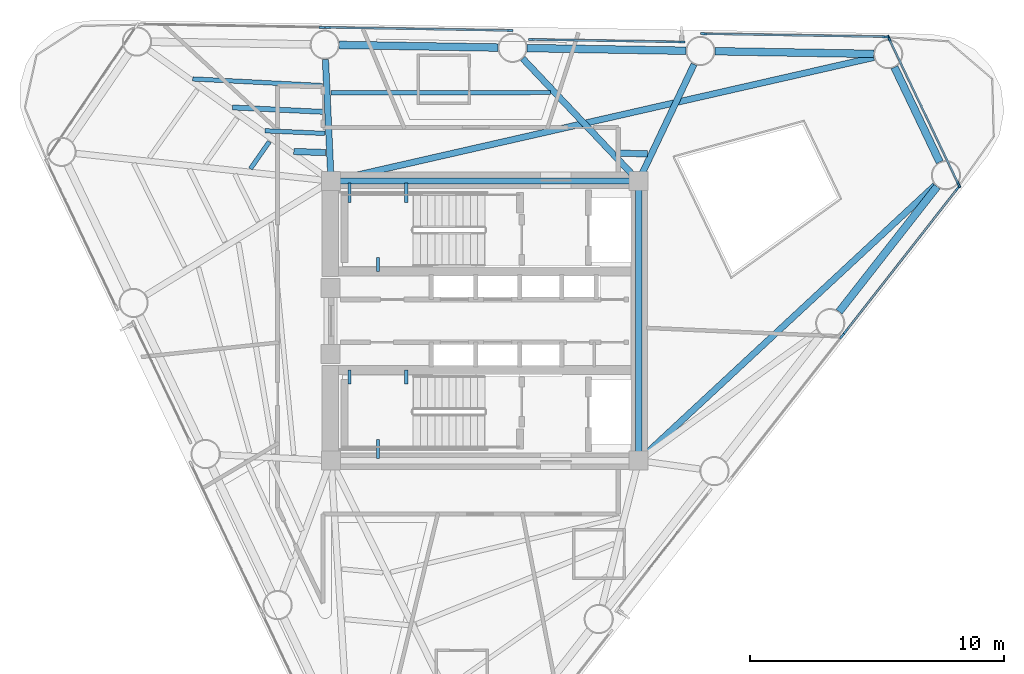
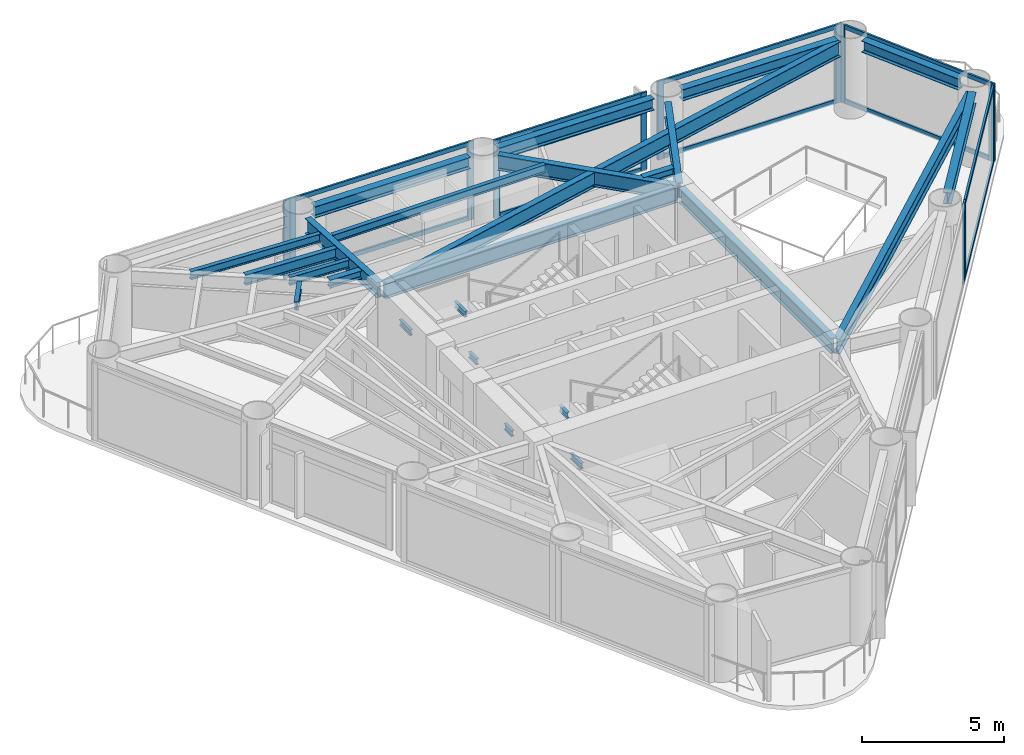
# One storey, part 3 of 9: 25 beams, 23 members, 7 elements without a shape of their own.
"""IFC4 building model written with IfcOpenShell, lengths in metres."""

from ifc_helpers import new_model, si_unit, direction, frame, origin, origin_2d, place, context, subcontext, project, spatial, rectangle, i_section, extrude, source, transform, mapped, material, layer, layer_set, material_profile, profile_set, type_object, element, aggregate, save


model = new_model("IFC4")

# Units and contexts
model_context = context("Model", 3, precision=1e-05, world=origin(), true_north=direction((0.0, 1.0)))
body_context = subcontext(model_context, "Body", "Model", "MODEL_VIEW")
ifc_project = project(units=[si_unit("LENGTHUNIT", "METRE"), si_unit("AREAUNIT", "SQUARE_METRE"), si_unit("VOLUMEUNIT", "CUBIC_METRE"), si_unit("PLANEANGLEUNIT", "RADIAN"), si_unit("MASSUNIT", "GRAM", prefix="KILO")], contexts=[model_context])

# Site, building, storey
site_placement = place(None, origin())
site = spatial("IfcSite", under=ifc_project, at=site_placement, CompositionType="ELEMENT")
building_placement = place(site_placement, origin())
building = spatial("IfcBuilding", under=site, at=building_placement, Name="Yunling Apex Tower", CompositionType="ELEMENT")
storey_placement = place(building_placement, frame((0.0, 0.0, 212.14990234375)))
storey = spatial("IfcBuildingStorey", under=building, at=storey_placement, Name="L52", CompositionType="ELEMENT", Elevation=212.14990234375)

# Beams
ifc_material_1 = material(Name="Steel Q355B", Category="steel")
ifc_material_profile_1 = material_profile(ifc_material_1, i_section(OverallWidth=0.125, OverallDepth=0.25, WebThickness=0.006103515625, FlangeThickness=0.009033203125, FilletRadius=0.011962890625, at=origin_2d()))
ifc_profile_set_1 = profile_set([ifc_material_profile_1], Name="Steel Q355B")
beam_type_1 = type_object("IfcBeamType", Name="BL-LNT-1", PredefinedType="LINTEL", material=ifc_profile_set_1)
shared_shape_1 = source(origin(), body_context, "Body", "SweptSolid", [
    extrude(i_section(OverallWidth=0.125, OverallDepth=0.25, WebThickness=0.006103515625, FlangeThickness=0.009033203125, FilletRadius=0.011962890625, at=origin_2d()), origin(), (0.0, 0.0, 1.0), 0.760009765625),
])
for number, where, z_axis, x_axis, name in (
    (1, (-5.320068359375, 5.419921875, 1.405029296875), (0.0, -1.0, 0.0), (1.0, 0.0, 0.0), "L52 ST-1 Landing Bearing Corbel 1-1"),
    (2, (-3.090087890625, 5.419921875, 1.405029296875), (0.0, -1.0, 0.0), (1.0, 0.0, 0.0), "L52 ST-1 Landing Bearing Corbel 1-2"),
    (3, (-4.205078125, -5.419921875, 1.405029296875), (0.0, 1.0, 0.0), (-1.0, 0.0, 0.0), "L52 ST-2 Landing Bearing Corbel 1-3"),
):
    element("IfcBeam", number, at=place(storey_placement, frame(where, z_axis=z_axis, x_axis=x_axis)), inside=storey, type_object=beam_type_1, Name=name, PredefinedType="LINTEL", context=body_context, shape_type="MappedRepresentation", body=[
        mapped(shared_shape_1, transform((0.0, 0.0, 0.0), scale=1.0)),
    ])
shared_shape_2 = source(origin(), body_context, "Body", "SweptSolid", [
    extrude(i_section(OverallWidth=0.125, OverallDepth=0.25, WebThickness=0.006103515625, FlangeThickness=0.009033203125, FilletRadius=0.011962890625, at=origin_2d()), origin(), (0.0, 0.0, 1.0), 0.550048828125),
])
for number, where, z_axis, x_axis, name in (
    (4, (-4.205078125, 1.93994140625, 1.405029296875), (0.0, 1.0, 0.0), (-1.0, 0.0, 0.0), "L52 ST-1 Landing Bearing Corbel 1-3"),
    (5, (-5.320068359375, -1.93994140625, 1.405029296875), (0.0, -1.0, 0.0), (1.0, 0.0, 0.0), "L52 ST-2 Landing Bearing Corbel 1-1"),
    (6, (-3.090087890625, -1.93994140625, 1.405029296875), (0.0, -1.0, 0.0), (1.0, 0.0, 0.0), "L52 ST-2 Landing Bearing Corbel 1-2"),
):
    element("IfcBeam", number, at=place(storey_placement, frame(where, z_axis=z_axis, x_axis=x_axis)), inside=storey, type_object=beam_type_1, Name=name, PredefinedType="LINTEL", context=body_context, shape_type="MappedRepresentation", body=[
        mapped(shared_shape_2, transform((0.0, 0.0, 0.0), scale=1.0)),
    ])
ifc_material_profile_2 = material_profile(ifc_material_1, i_section(OverallWidth=0.25, OverallDepth=0.64990234375, WebThickness=0.011962890625, FlangeThickness=0.02001953125, FilletRadius=0.02392578125, at=origin_2d()))
ifc_profile_set_2 = profile_set([ifc_material_profile_2], Name="Steel Q355B")
beam_type_2 = type_object("IfcBeamType", Name="BG-PRI-4", PredefinedType="USERDEFINED", material=ifc_profile_set_2)
shared_shape_3 = source(origin(), body_context, "Body", "SweptSolid", [
    extrude(i_section(OverallWidth=0.25, OverallDepth=0.64990234375, WebThickness=0.011962890625, FlangeThickness=0.02001953125, FilletRadius=0.02392578125, at=origin_2d()), origin(), (0.0, 0.0, 1.0), 11.7998046875),
])
beam_1_placement = place(storey_placement, frame((5.89990234375, 5.5, 2.945068359375), z_axis=(-1.0, 0.0, 0.0), x_axis=(0.0, -1.0, 0.0)))
element("IfcBeam", 7, at=beam_1_placement, inside=storey, type_object=beam_type_2, Name="L52 Core Ring Tie Beam 3", ObjectType="GIRDER", PredefinedType="USERDEFINED", context=body_context, shape_type="MappedRepresentation", body=[
    mapped(shared_shape_3, transform((0.0, 0.0, 0.0), scale=1.0)),
])
shared_shape_4 = source(origin(), body_context, "Body", "SweptSolid", [
    extrude(i_section(OverallWidth=0.25, OverallDepth=0.64990234375, WebThickness=0.011962890625, FlangeThickness=0.02001953125, FilletRadius=0.02392578125, at=origin_2d()), origin(), (0.0, 0.0, 1.0), 10.7001953125),
])
beam_2_placement = place(storey_placement, frame((6.050048828125, -5.35009765625, 2.945068359375), z_axis=(0.0, 1.0, 0.0), x_axis=(-1.0, 0.0, 0.0)))
element("IfcBeam", 8, at=beam_2_placement, inside=storey, type_object=beam_type_2, Name="L52 Core Ring Tie Beam 2", ObjectType="GIRDER", PredefinedType="USERDEFINED", context=body_context, shape_type="MappedRepresentation", body=[
    mapped(shared_shape_4, transform((0.0, 0.0, 0.0), scale=1.0)),
])
ifc_material_profile_3 = material_profile(ifc_material_1, i_section(OverallWidth=0.300048828125, OverallDepth=0.489990234375, WebThickness=0.010986328125, FlangeThickness=0.01806640625, FilletRadius=0.02197265625, at=origin_2d()))
ifc_profile_set_3 = profile_set([ifc_material_profile_3], Name="Steel Q355B")
beam_type_3 = type_object("IfcBeamType", Name="BP-SPN-2", PredefinedType="SPANDREL", material=ifc_profile_set_3)
shared_shape_5 = source(origin(), body_context, "Body", "SweptSolid", [
    extrude(i_section(OverallWidth=0.300048828125, OverallDepth=0.489990234375, WebThickness=0.010986328125, FlangeThickness=0.01806640625, FilletRadius=0.02197265625, at=origin_2d()), origin(), (0.0, 0.0, 1.0), 6.252685546875),
])
beam_3_placement = place(storey_placement, frame((13.940185546875, 0.35791015625, 3.025146484375), z_axis=(0.616211399259, 0.787580796759, 0.0), x_axis=(-0.787580796759, 0.616211399259, 0.0)))
element("IfcBeam", 9, at=beam_3_placement, inside=storey, type_object=beam_type_3, Name="L52 Perimeter Spandrel Beam 4", PredefinedType="SPANDREL", context=body_context, shape_type="MappedRepresentation", body=[
    mapped(shared_shape_5, transform((0.0, 0.0, 0.0), scale=1.0)),
])
shared_shape_6 = source(origin(), body_context, "Body", "SweptSolid", [
    extrude(i_section(OverallWidth=0.300048828125, OverallDepth=0.489990234375, WebThickness=0.010986328125, FlangeThickness=0.01806640625, FilletRadius=0.02197265625, at=origin_2d()), origin(), (0.0, 0.0, 1.0), 6.253173828125),
])
for number, where, z_axis, x_axis, name in (
    (10, (15.302978515625, 10.50341796875, 3.025146484375), (-0.999859061432, 0.016788605428, 0.0), (-0.016788605428, -0.999859061432, 0.0), "L52 Perimeter Spandrel Beam 6"),
    (11, (7.9130859375, 10.627197265625, 3.025146484375), (-0.999859061432, 0.016788605428, 0.0), (-0.016788605428, -0.999859061432, 0.0), "L52 Perimeter Spandrel Beam 7"),
    (12, (0.523193359375, 10.751220703125, 3.025146484375), (-0.99985971606, 0.016749573126, 0.0), (-0.016749573126, -0.99985971606, 0.0), "L52 Perimeter Spandrel Beam 8"),
):
    element("IfcBeam", number, at=place(storey_placement, frame(where, z_axis=z_axis, x_axis=x_axis)), inside=storey, type_object=beam_type_3, Name=name, PredefinedType="SPANDREL", context=body_context, shape_type="MappedRepresentation", body=[
        mapped(shared_shape_6, transform((0.0, 0.0, 0.0), scale=1.0)),
    ])
shared_shape_7 = source(origin(), body_context, "Body", "SweptSolid", [
    extrude(i_section(OverallWidth=0.300048828125, OverallDepth=0.489990234375, WebThickness=0.010986328125, FlangeThickness=0.01806640625, FilletRadius=0.02197265625, at=origin_2d()), origin(), (0.0, 0.0, 1.0), 4.139404296875),
])
beam_4_placement = place(storey_placement, frame((17.898681640625, 6.244140625, 3.025146484375), z_axis=(-0.430503573335, 0.902588872824, 0.0), x_axis=(-0.902588872824, -0.430503573335, 0.0)))
element("IfcBeam", 13, at=beam_4_placement, inside=storey, type_object=beam_type_3, Name="L52 Perimeter Spandrel Beam 5", PredefinedType="SPANDREL", context=body_context, shape_type="MappedRepresentation", body=[
    mapped(shared_shape_7, transform((0.0, 0.0, 0.0), scale=1.0)),
])
shared_shape_8 = source(origin(), body_context, "Body", "SweptSolid", [
    extrude(i_section(OverallWidth=0.25, OverallDepth=0.64990234375, WebThickness=0.011962890625, FlangeThickness=0.02001953125, FilletRadius=0.02392578125, at=origin_2d()), origin(), (0.0, 0.0, 1.0), 15.841064453125),
])
beam_5_placement = place(storey_placement, frame((17.716552734375, 5.333984375, 2.945068359375), z_axis=(-0.732769338977, -0.680477108986, 0.0), x_axis=(0.680477108986, -0.732769338977, 0.0)))
element("IfcBeam", 14, at=beam_5_placement, inside=storey, type_object=beam_type_2, Name="L52 Radial Primary Girder R05", ObjectType="GIRDER", PredefinedType="USERDEFINED", context=body_context, shape_type="MappedRepresentation", body=[
    mapped(shared_shape_8, transform((0.0, 0.0, 0.0), scale=1.0)),
])
shared_shape_9 = source(origin(), body_context, "Body", "SweptSolid", [
    extrude(i_section(OverallWidth=0.25, OverallDepth=0.64990234375, WebThickness=0.011962890625, FlangeThickness=0.02001953125, FilletRadius=0.02392578125, at=origin_2d()), origin(), (0.0, 0.0, 1.0), 21.820556640625),
])
beam_6_placement = place(storey_placement, frame((15.303466796875, 10.364501953125, 2.945068359375), z_axis=(-0.975020184512, -0.222116275394, 0.0), x_axis=(0.222116275394, -0.975020184512, 0.0)))
element("IfcBeam", 15, at=beam_6_placement, inside=storey, type_object=beam_type_2, Name="L52 Radial Primary Girder R06", ObjectType="GIRDER", PredefinedType="USERDEFINED", context=body_context, shape_type="MappedRepresentation", body=[
    mapped(shared_shape_9, transform((0.0, 0.0, 0.0), scale=1.0)),
])
shared_shape_10 = source(origin(), body_context, "Body", "SweptSolid", [
    extrude(i_section(OverallWidth=0.25, OverallDepth=0.64990234375, WebThickness=0.011962890625, FlangeThickness=0.02001953125, FilletRadius=0.02392578125, at=origin_2d()), origin(), (0.0, 0.0, 1.0), 5.00341796875),
])
beam_7_placement = place(storey_placement, frame((8.231689453125, 10.09130859375, 2.945068359375), z_axis=(-0.429206106824, -0.903206575411, 0.0), x_axis=(0.903206575411, -0.429206106824, 0.0)))
element("IfcBeam", 16, at=beam_7_placement, inside=storey, type_object=beam_type_2, Name="L52 Radial Primary Girder R07", ObjectType="GIRDER", PredefinedType="USERDEFINED", context=body_context, shape_type="MappedRepresentation", body=[
    mapped(shared_shape_10, transform((0.0, 0.0, 0.0), scale=1.0)),
])
shared_shape_11 = source(origin(), body_context, "Body", "SweptSolid", [
    extrude(i_section(OverallWidth=0.25, OverallDepth=0.64990234375, WebThickness=0.011962890625, FlangeThickness=0.02001953125, FilletRadius=0.02392578125, at=origin_2d()), origin(), (0.0, 0.0, 1.0), 6.552001953125),
])
beam_8_placement = place(storey_placement, frame((1.49267578125, 10.318115234375, 2.945068359375), z_axis=(0.687178062581, -0.726489029723, 0.0), x_axis=(0.726489029723, 0.687178062581, 0.0)))
element("IfcBeam", 17, at=beam_8_placement, inside=storey, type_object=beam_type_2, Name="L52 Radial Primary Girder R08", ObjectType="GIRDER", PredefinedType="USERDEFINED", context=body_context, shape_type="MappedRepresentation", body=[
    mapped(shared_shape_11, transform((0.0, 0.0, 0.0), scale=1.0)),
])
shared_shape_12 = source(origin(), body_context, "Body", "SweptSolid", [
    extrude(i_section(OverallWidth=0.25, OverallDepth=0.64990234375, WebThickness=0.011962890625, FlangeThickness=0.02001953125, FilletRadius=0.02392578125, at=origin_2d()), origin(), (0.0, 0.0, 1.0), 4.70849609375),
])
beam_9_placement = place(storey_placement, frame((-6.27099609375, 10.283203125, 2.945068359375), z_axis=(0.046148548326, -0.998934588193, 0.0), x_axis=(0.998934588193, 0.046148548326, 0.0)))
element("IfcBeam", 18, at=beam_9_placement, inside=storey, type_object=beam_type_2, Name="L52 Radial Primary Girder R09", ObjectType="GIRDER", PredefinedType="USERDEFINED", context=body_context, shape_type="MappedRepresentation", body=[
    mapped(shared_shape_12, transform((0.0, 0.0, 0.0), scale=1.0)),
])
ifc_material_profile_4 = material_profile(ifc_material_1, i_section(OverallWidth=0.25, OverallDepth=0.340087890625, WebThickness=0.009033203125, FlangeThickness=0.013916015625, FilletRadius=0.01806640625, at=origin_2d()))
ifc_profile_set_4 = profile_set([ifc_material_profile_4], Name="Steel Q355B")
beam_type_4 = type_object("IfcBeamType", Name="BJ-JST-2", PredefinedType="JOIST", material=ifc_profile_set_4)
shared_shape_13 = source(origin(), body_context, "Body", "SweptSolid", [
    extrude(i_section(OverallWidth=0.25, OverallDepth=0.340087890625, WebThickness=0.009033203125, FlangeThickness=0.013916015625, FilletRadius=0.01806640625, at=origin_2d()), origin(), (0.0, 0.0, 1.0), 1.23291015625),
])
beam_10_placement = place(storey_placement, frame((6.396728515625, 6.570556640625, 3.10009765625), z_axis=(-0.999688635189, 0.024952608565, 0.0), x_axis=(-0.024952608565, -0.999688635189, 0.0)))
element("IfcBeam", 19, at=beam_10_placement, inside=storey, type_object=beam_type_4, Name="L52 Composite Floor Joist BJ2-7", PredefinedType="JOIST", context=body_context, shape_type="MappedRepresentation", body=[
    mapped(shared_shape_13, transform((0.0, 0.0, 0.0), scale=1.0)),
])
ifc_material_profile_5 = material_profile(ifc_material_1, i_section(OverallWidth=0.175048828125, OverallDepth=0.35009765625, WebThickness=0.007080078125, FlangeThickness=0.010986328125, FilletRadius=0.013916015625, at=origin_2d()))
ifc_profile_set_5 = profile_set([ifc_material_profile_5], Name="Steel Q355B")
beam_type_5 = type_object("IfcBeamType", Name="BJ-JST-1", PredefinedType="JOIST", material=ifc_profile_set_5)
shared_shape_14 = source(origin(), body_context, "Body", "SweptSolid", [
    extrude(i_section(OverallWidth=0.175048828125, OverallDepth=0.35009765625, WebThickness=0.007080078125, FlangeThickness=0.010986328125, FilletRadius=0.013916015625, at=origin_2d()), origin(), (0.0, 0.0, 1.0), 8.643310546875),
])
beam_11_placement = place(storey_placement, frame((2.59326171875, 8.985107421875, 3.09521484375), z_axis=(-0.999997695824, -0.002146705784, 0.0), x_axis=(0.002146705784, -0.999997695824, 0.0)))
element("IfcBeam", 20, at=beam_11_placement, inside=storey, type_object=beam_type_5, Name="L52 Composite Floor Joist BJ1-8", PredefinedType="JOIST", context=body_context, shape_type="MappedRepresentation", body=[
    mapped(shared_shape_14, transform((0.0, 0.0, 0.0), scale=1.0)),
])
ifc_material_profile_6 = material_profile(ifc_material_1, i_section(OverallWidth=0.199951171875, OverallDepth=0.449951171875, WebThickness=0.009033203125, FlangeThickness=0.013916015625, FilletRadius=0.01806640625, at=origin_2d()))
ifc_profile_set_6 = profile_set([ifc_material_profile_6], Name="Steel Q355B")
beam_type_6 = type_object("IfcBeamType", Name="BS-SEC-3", PredefinedType="BEAM", material=ifc_profile_set_6)
shared_shape_15 = source(origin(), body_context, "Body", "SweptSolid", [
    extrude(i_section(OverallWidth=0.199951171875, OverallDepth=0.449951171875, WebThickness=0.009033203125, FlangeThickness=0.013916015625, FilletRadius=0.01806640625, at=origin_2d()), origin(), (0.0, 0.0, 1.0), 3.599853515625),
])
beam_12_placement = place(storey_placement, frame((-6.335205078125, 8.221435546875, 3.045166015625), z_axis=(-0.998820387083, 0.048557536471, 0.0), x_axis=(-0.048557536471, -0.998820387083, 0.0)))
element("IfcBeam", 21, at=beam_12_placement, inside=storey, type_object=beam_type_6, Name="L52 Composite Floor Beam BS-9", PredefinedType="BEAM", context=body_context, shape_type="MappedRepresentation", body=[
    mapped(shared_shape_15, transform((0.0, 0.0, 0.0), scale=1.0)),
])
shared_shape_16 = source(origin(), body_context, "Body", "SweptSolid", [
    extrude(i_section(OverallWidth=0.175048828125, OverallDepth=0.35009765625, WebThickness=0.007080078125, FlangeThickness=0.010986328125, FilletRadius=0.013916015625, at=origin_2d()), origin(), (0.0, 0.0, 1.0), 5.116455078125),
])
beam_13_placement = place(storey_placement, frame((-6.3828125, 9.256591796875, 3.09521484375), z_axis=(-0.998690915519, 0.051151297728, 0.0), x_axis=(-0.051151297728, -0.998690915519, 0.0)))
element("IfcBeam", 22, at=beam_13_placement, inside=storey, type_object=beam_type_5, Name="L52 Composite Floor Joist BJ1-9", PredefinedType="JOIST", context=body_context, shape_type="MappedRepresentation", body=[
    mapped(shared_shape_16, transform((0.0, 0.0, 0.0), scale=1.0)),
])
shared_shape_17 = source(origin(), body_context, "Body", "SweptSolid", [
    extrude(i_section(OverallWidth=0.175048828125, OverallDepth=0.35009765625, WebThickness=0.007080078125, FlangeThickness=0.010986328125, FilletRadius=0.013916015625, at=origin_2d()), origin(), (0.0, 0.0, 1.0), 2.35888671875),
])
beam_14_placement = place(storey_placement, frame((-6.296142578125, 7.374267578125, 3.09521484375), z_axis=(-0.999023067934, 0.044191738321, 0.0), x_axis=(-0.044191738321, -0.999023067934, 0.0)))
element("IfcBeam", 23, at=beam_14_placement, inside=storey, type_object=beam_type_5, Name="L52 Composite Floor Joist BJ3-9", PredefinedType="JOIST", context=body_context, shape_type="MappedRepresentation", body=[
    mapped(shared_shape_17, transform((0.0, 0.0, 0.0), scale=1.0)),
])
shared_shape_18 = source(origin(), body_context, "Body", "SweptSolid", [
    extrude(i_section(OverallWidth=0.25, OverallDepth=0.340087890625, WebThickness=0.009033203125, FlangeThickness=0.013916015625, FilletRadius=0.01806640625, at=origin_2d()), origin(), (0.0, 0.0, 1.0), 1.256103515625),
])
beam_15_placement = place(storey_placement, frame((-6.261474609375, 6.6201171875, 3.10009765625), z_axis=(-0.999394634841, 0.034790283866, 0.0), x_axis=(-0.034790283866, -0.999394634841, 0.0)))
element("IfcBeam", 24, at=beam_15_placement, inside=storey, type_object=beam_type_4, Name="L52 Composite Floor Joist BJ2-9", PredefinedType="JOIST", context=body_context, shape_type="MappedRepresentation", body=[
    mapped(shared_shape_18, transform((0.0, 0.0, 0.0), scale=1.0)),
])
shared_shape_19 = source(origin(), body_context, "Body", "SweptSolid", [
    extrude(i_section(OverallWidth=0.175048828125, OverallDepth=0.35009765625, WebThickness=0.007080078125, FlangeThickness=0.010986328125, FilletRadius=0.013916015625, at=origin_2d()), origin(), (0.0, 0.0, 1.0), 1.29736328125),
])
beam_16_placement = place(storey_placement, frame((-8.478515625, 7.04833984375, 3.09521484375), z_axis=(-0.572590644925, -0.819841419632, 0.0), x_axis=(0.819841419632, -0.572590644925, 0.0)))
element("IfcBeam", 25, at=beam_16_placement, inside=storey, type_object=beam_type_5, Name="L52 Composite Floor Joist BJ3-10", PredefinedType="JOIST", context=body_context, shape_type="MappedRepresentation", body=[
    mapped(shared_shape_19, transform((0.0, 0.0, 0.0), scale=1.0)),
])

# Curtain wall, member
ifc_material_2 = material(Name="Bronze anodised aluminium", Category="aluminium")
ifc_layer = layer(ifc_material_2, 0.239990234375)
ifc_layer_set = layer_set([ifc_layer], Name="Bronze anodised aluminium")
curtain_wall_type = type_object("IfcCurtainWallType", Name="CW-SYS-3", PredefinedType="NOTDEFINED", material=ifc_layer_set)
curtain_wall_1_placement = place(storey_placement, origin())
curtain_wall_1 = element("IfcCurtainWall", 26, at=curtain_wall_1_placement, inside=storey, type_object=curtain_wall_type, Name="CW-L52-F1-B3", PredefinedType="NOTDEFINED")
ifc_material_profile_7 = material_profile(ifc_material_2, rectangle(XDim=0.080078125, YDim=0.239990234375, at=origin_2d()))
ifc_profile_set_7 = profile_set([ifc_material_profile_7], Name="Bronze anodised aluminium")
member_type_1 = type_object("IfcMemberType", Name="CW-MUL-3", PredefinedType="MULLION", material=ifc_profile_set_7)
shared_shape_20 = source(origin(), body_context, "Body", "SweptSolid", [
    extrude(rectangle(XDim=0.080078125, YDim=0.239990234375, at=origin_2d()), origin(), (0.0, 0.0, 1.0), 3.369873046875),
])
member_1_placement = place(storey_placement, frame((14.051025390625, -0.603759765625, -0.0498046875), z_axis=(0.0, 0.0, 1.0), x_axis=(-0.787589332433, 0.616200489644, 0.0)))
member_1 = element("IfcMember", 27, at=member_1_placement, type_object=member_type_1, Name="CW-SYS-3 mullion 2", PredefinedType="MULLION", context=body_context, shape_type="MappedRepresentation", body=[
    mapped(shared_shape_20, transform((0.0, 0.0, 0.0), scale=1.0)),
])
aggregate(curtain_wall_1, [member_1])

# Curtain wall, members
curtain_wall_2_placement = place(storey_placement, origin())
curtain_wall_2 = element("IfcCurtainWall", 28, at=curtain_wall_2_placement, inside=storey, type_object=curtain_wall_type, Name="CW-L52-F1-B4", PredefinedType="NOTDEFINED")
member_2_placement = place(storey_placement, frame((14.198974609375, -0.414794921875, -0.0498046875), z_axis=(0.0, 0.0, 1.0), x_axis=(-0.787589332433, 0.616200489644, 0.0)))
member_2 = element("IfcMember", 29, at=member_2_placement, type_object=member_type_1, Name="CW-SYS-3 mullion 1", PredefinedType="MULLION", context=body_context, shape_type="MappedRepresentation", body=[
    mapped(shared_shape_20, transform((0.0, 0.0, 0.0), scale=1.0)),
])
member_3_placement = place(storey_placement, frame((18.60546875, 5.21728515625, -0.0498046875), z_axis=(0.0, 0.0, 1.0), x_axis=(-0.787589332433, 0.616200489644, 0.0)))
member_3 = element("IfcMember", 30, at=member_3_placement, type_object=member_type_1, Name="CW-SYS-3 mullion 2", PredefinedType="MULLION", context=body_context, shape_type="MappedRepresentation", body=[
    mapped(shared_shape_20, transform((0.0, 0.0, 0.0), scale=1.0)),
])

curtain_wall_3_placement = place(storey_placement, origin())
curtain_wall_3 = element("IfcCurtainWall", 31, at=curtain_wall_3_placement, inside=storey, type_object=curtain_wall_type, Name="CW-L52-CRN1", PredefinedType="NOTDEFINED")
member_4_placement = place(storey_placement, frame((18.646484375, 5.360107421875, -0.0498046875), z_axis=(0.0, 0.0, 1.0), x_axis=(-0.902577581426, -0.430527245951, 0.0)))
member_4 = element("IfcMember", 32, at=member_4_placement, type_object=member_type_1, Name="CW-SYS-3 mullion 1", PredefinedType="MULLION", context=body_context, shape_type="MappedRepresentation", body=[
    mapped(shared_shape_20, transform((0.0, 0.0, 0.0), scale=1.0)),
])
member_5_placement = place(storey_placement, frame((15.89990234375, 11.11767578125, -0.0498046875), z_axis=(0.0, 0.0, 1.0), x_axis=(-0.902577581426, -0.430527245951, 0.0)))
member_5 = element("IfcMember", 33, at=member_5_placement, type_object=member_type_1, Name="CW-SYS-3 mullion 2", PredefinedType="MULLION", context=body_context, shape_type="MappedRepresentation", body=[
    mapped(shared_shape_20, transform((0.0, 0.0, 0.0), scale=1.0)),
])

curtain_wall_4_placement = place(storey_placement, origin())
curtain_wall_4 = element("IfcCurtainWall", 34, at=curtain_wall_4_placement, inside=storey, type_object=curtain_wall_type, Name="CW-L52-F2-B1", PredefinedType="NOTDEFINED")
member_6_placement = place(storey_placement, frame((15.76318359375, 11.17578125, -0.0498046875), z_axis=(0.0, 0.0, 1.0), x_axis=(-0.016761362354, -0.999859518498, 0.0)))
member_6 = element("IfcMember", 35, at=member_6_placement, type_object=member_type_1, Name="CW-SYS-3 mullion 1", PredefinedType="MULLION", context=body_context, shape_type="MappedRepresentation", body=[
    mapped(shared_shape_20, transform((0.0, 0.0, 0.0), scale=1.0)),
])
member_7_placement = place(storey_placement, frame((8.61328125, 11.295654296875, -0.0498046875), z_axis=(0.0, 0.0, 1.0), x_axis=(-0.016761362354, -0.999859518498, 0.0)))
member_7 = element("IfcMember", 36, at=member_7_placement, type_object=member_type_1, Name="CW-SYS-3 mullion 2", PredefinedType="MULLION", context=body_context, shape_type="MappedRepresentation", body=[
    mapped(shared_shape_20, transform((0.0, 0.0, 0.0), scale=1.0)),
])

curtain_wall_5_placement = place(storey_placement, origin())
curtain_wall_5 = element("IfcCurtainWall", 37, at=curtain_wall_5_placement, inside=storey, type_object=curtain_wall_type, Name="CW-L52-F2-B2", PredefinedType="NOTDEFINED")
member_8_placement = place(storey_placement, frame((7.747802734375, 10.97021484375, -0.0498046875), z_axis=(0.0, 0.0, 1.0), x_axis=(-0.016758635119, -0.999859564213, 0.0)))
member_8 = element("IfcMember", 38, at=member_8_placement, type_object=member_type_1, Name="CW-SYS-3 mullion 1", PredefinedType="MULLION", context=body_context, shape_type="MappedRepresentation", body=[
    mapped(shared_shape_20, transform((0.0, 0.0, 0.0), scale=1.0)),
])
member_9_placement = place(storey_placement, frame((1.837646484375, 11.0693359375, -0.0498046875), z_axis=(0.0, 0.0, 1.0), x_axis=(-0.016758635119, -0.999859564213, 0.0)))
member_9 = element("IfcMember", 39, at=member_9_placement, type_object=member_type_1, Name="CW-SYS-3 mullion 2", PredefinedType="MULLION", context=body_context, shape_type="MappedRepresentation", body=[
    mapped(shared_shape_20, transform((0.0, 0.0, 0.0), scale=1.0)),
])

curtain_wall_6_placement = place(storey_placement, origin())
curtain_wall_6 = element("IfcCurtainWall", 40, at=curtain_wall_6_placement, inside=storey, type_object=curtain_wall_type, Name="CW-L52-F2-B3", PredefinedType="NOTDEFINED")
member_10_placement = place(storey_placement, frame((0.9833984375, 11.423583984375, -0.0498046875), z_axis=(0.0, 0.0, 1.0), x_axis=(-0.016747305141, -0.999859754051, 0.0)))
member_10 = element("IfcMember", 41, at=member_10_placement, type_object=member_type_1, Name="CW-SYS-3 mullion 1", PredefinedType="MULLION", context=body_context, shape_type="MappedRepresentation", body=[
    mapped(shared_shape_20, transform((0.0, 0.0, 0.0), scale=1.0)),
])
member_11_placement = place(storey_placement, frame((-6.16650390625, 11.54345703125, -0.0498046875), z_axis=(0.0, 0.0, 1.0), x_axis=(-0.016747305141, -0.999859754051, 0.0)))
member_11 = element("IfcMember", 42, at=member_11_placement, type_object=member_type_1, Name="CW-SYS-3 mullion 2", PredefinedType="MULLION", context=body_context, shape_type="MappedRepresentation", body=[
    mapped(shared_shape_20, transform((0.0, 0.0, 0.0), scale=1.0)),
])

# Curtain wall, member
curtain_wall_7_placement = place(storey_placement, origin())
curtain_wall_7 = element("IfcCurtainWall", 43, at=curtain_wall_7_placement, inside=storey, type_object=curtain_wall_type, Name="CW-L52-F2-B4", PredefinedType="NOTDEFINED")
member_12_placement = place(storey_placement, frame((-6.406494140625, 11.54736328125, -0.0498046875), z_axis=(0.0, 0.0, 1.0), x_axis=(-0.016761362354, -0.999859518498, 0.0)))
member_12 = element("IfcMember", 44, at=member_12_placement, type_object=member_type_1, Name="CW-SYS-3 mullion 1", PredefinedType="MULLION", context=body_context, shape_type="MappedRepresentation", body=[
    mapped(shared_shape_20, transform((0.0, 0.0, 0.0), scale=1.0)),
])
aggregate(curtain_wall_7, [member_12])

# Member
ifc_material_profile_8 = material_profile(ifc_material_2, rectangle(XDim=0.080078125, YDim=0.18505859375, at=origin_2d()))
ifc_profile_set_8 = profile_set([ifc_material_profile_8], Name="Bronze anodised aluminium")
member_type_2 = type_object("IfcMemberType", Name="CW-TRN-3", PredefinedType="USERDEFINED", material=ifc_profile_set_8)
shared_shape_21 = source(origin(), body_context, "Body", "SweptSolid", [
    extrude(rectangle(XDim=0.080078125, YDim=0.18505859375, at=origin_2d()), origin(), (0.0, 0.0, 1.0), 5.8388671875),
])
member_13_placement = place(storey_placement, frame((7.7119140625, 10.970703125, 0.0400390625), z_axis=(-0.99985942793, 0.016766764128, 0.0), x_axis=(-0.016766764128, -0.99985942793, 0.0)))
member_13 = element("IfcMember", 45, at=member_13_placement, type_object=member_type_2, Name="CW-SYS-3 transom 1.1", ObjectType="TRANSOM", PredefinedType="USERDEFINED", context=body_context, shape_type="MappedRepresentation", body=[
    mapped(shared_shape_21, transform((0.0, 0.0, 0.0), scale=1.0)),
])

member_14_placement = place(storey_placement, frame((7.7119140625, 10.970703125, 2.4853515625), z_axis=(-0.99985942793, 0.016766764128, 0.0), x_axis=(-0.016766764128, -0.99985942793, 0.0)))
member_14 = element("IfcMember", 46, at=member_14_placement, type_object=member_type_2, Name="CW-SYS-3 transom 1.2", ObjectType="TRANSOM", PredefinedType="USERDEFINED", context=body_context, shape_type="MappedRepresentation", body=[
    mapped(shared_shape_21, transform((0.0, 0.0, 0.0), scale=1.0)),
])

member_15_placement = place(storey_placement, frame((7.7119140625, 10.970703125, 3.22998046875), z_axis=(-0.99985942793, 0.016766764128, 0.0), x_axis=(-0.016766764128, -0.99985942793, 0.0)))
member_15 = element("IfcMember", 47, at=member_15_placement, type_object=member_type_2, Name="CW-SYS-3 transom 1.3", ObjectType="TRANSOM", PredefinedType="USERDEFINED", context=body_context, shape_type="MappedRepresentation", body=[
    mapped(shared_shape_21, transform((0.0, 0.0, 0.0), scale=1.0)),
])

aggregate(curtain_wall_5, [member_8, member_9, member_13, member_14, member_15])

shared_shape_22 = source(origin(), body_context, "Body", "SweptSolid", [
    extrude(rectangle(XDim=0.080078125, YDim=0.18505859375, at=origin_2d()), origin(), (0.0, 0.0, 1.0), 7.0791015625),
])
member_16_placement = place(storey_placement, frame((14.22119140625, -0.386474609375, 0.0400390625), z_axis=(0.616192015574, 0.78759596237, 0.0), x_axis=(-0.78759596237, 0.616192015574, 0.0)))
member_16 = element("IfcMember", 48, at=member_16_placement, type_object=member_type_2, Name="CW-SYS-3 transom 1.1", ObjectType="TRANSOM", PredefinedType="USERDEFINED", context=body_context, shape_type="MappedRepresentation", body=[
    mapped(shared_shape_22, transform((0.0, 0.0, 0.0), scale=1.0)),
])

member_17_placement = place(storey_placement, frame((14.22119140625, -0.386474609375, 3.22998046875), z_axis=(0.616192015574, 0.78759596237, 0.0), x_axis=(-0.78759596237, 0.616192015574, 0.0)))
member_17 = element("IfcMember", 49, at=member_17_placement, type_object=member_type_2, Name="CW-SYS-3 transom 1.2", ObjectType="TRANSOM", PredefinedType="USERDEFINED", context=body_context, shape_type="MappedRepresentation", body=[
    mapped(shared_shape_22, transform((0.0, 0.0, 0.0), scale=1.0)),
])

aggregate(curtain_wall_2, [member_2, member_3, member_16, member_17])

member_18_placement = place(storey_placement, frame((15.727294921875, 11.176513671875, 0.0400390625), z_axis=(-0.999859526413, 0.01676089024, 0.0), x_axis=(-0.01676089024, -0.999859526413, 0.0)))
member_18 = element("IfcMember", 50, at=member_18_placement, type_object=member_type_2, Name="CW-SYS-3 transom 1.1", ObjectType="TRANSOM", PredefinedType="USERDEFINED", context=body_context, shape_type="MappedRepresentation", body=[
    mapped(shared_shape_22, transform((0.0, 0.0, 0.0), scale=1.0)),
])

member_19_placement = place(storey_placement, frame((15.727294921875, 11.176513671875, 3.22998046875), z_axis=(-0.999859526413, 0.01676089024, 0.0), x_axis=(-0.01676089024, -0.999859526413, 0.0)))
member_19 = element("IfcMember", 51, at=member_19_placement, type_object=member_type_2, Name="CW-SYS-3 transom 1.2", ObjectType="TRANSOM", PredefinedType="USERDEFINED", context=body_context, shape_type="MappedRepresentation", body=[
    mapped(shared_shape_22, transform((0.0, 0.0, 0.0), scale=1.0)),
])

aggregate(curtain_wall_4, [member_6, member_7, member_18, member_19])

member_20_placement = place(storey_placement, frame((0.947509765625, 11.42431640625, 0.0400390625), z_axis=(-0.999860103777, 0.01672641247, 0.0), x_axis=(-0.01672641247, -0.999860103777, 0.0)))
member_20 = element("IfcMember", 52, at=member_20_placement, type_object=member_type_2, Name="CW-SYS-3 transom 1.1", ObjectType="TRANSOM", PredefinedType="USERDEFINED", context=body_context, shape_type="MappedRepresentation", body=[
    mapped(shared_shape_22, transform((0.0, 0.0, 0.0), scale=1.0)),
])

member_21_placement = place(storey_placement, frame((0.947509765625, 11.42431640625, 3.22998046875), z_axis=(-0.999860103777, 0.01672641247, 0.0), x_axis=(-0.01672641247, -0.999860103777, 0.0)))
member_21 = element("IfcMember", 53, at=member_21_placement, type_object=member_type_2, Name="CW-SYS-3 transom 1.2", ObjectType="TRANSOM", PredefinedType="USERDEFINED", context=body_context, shape_type="MappedRepresentation", body=[
    mapped(shared_shape_22, transform((0.0, 0.0, 0.0), scale=1.0)),
])

aggregate(curtain_wall_6, [member_10, member_11, member_20, member_21])

shared_shape_23 = source(origin(), body_context, "Body", "SweptSolid", [
    extrude(rectangle(XDim=0.080078125, YDim=0.18505859375, at=origin_2d()), origin(), (0.0, 0.0, 1.0), 6.30712890625),
])
member_22_placement = place(storey_placement, frame((18.630859375, 5.392578125, 0.0400390625), z_axis=(-0.430522496716, 0.902579846784, 0.0), x_axis=(-0.902579846784, -0.430522496716, 0.0)))
member_22 = element("IfcMember", 54, at=member_22_placement, type_object=member_type_2, Name="CW-SYS-3 transom 1.1", ObjectType="TRANSOM", PredefinedType="USERDEFINED", context=body_context, shape_type="MappedRepresentation", body=[
    mapped(shared_shape_23, transform((0.0, 0.0, 0.0), scale=1.0)),
])

member_23_placement = place(storey_placement, frame((18.630859375, 5.392578125, 3.22998046875), z_axis=(-0.430522496716, 0.902579846784, 0.0), x_axis=(-0.902579846784, -0.430522496716, 0.0)))
member_23 = element("IfcMember", 55, at=member_23_placement, type_object=member_type_2, Name="CW-SYS-3 transom 1.2", ObjectType="TRANSOM", PredefinedType="USERDEFINED", context=body_context, shape_type="MappedRepresentation", body=[
    mapped(shared_shape_23, transform((0.0, 0.0, 0.0), scale=1.0)),
])

aggregate(curtain_wall_3, [member_4, member_5, member_22, member_23])

save(model, "model.ifc")
